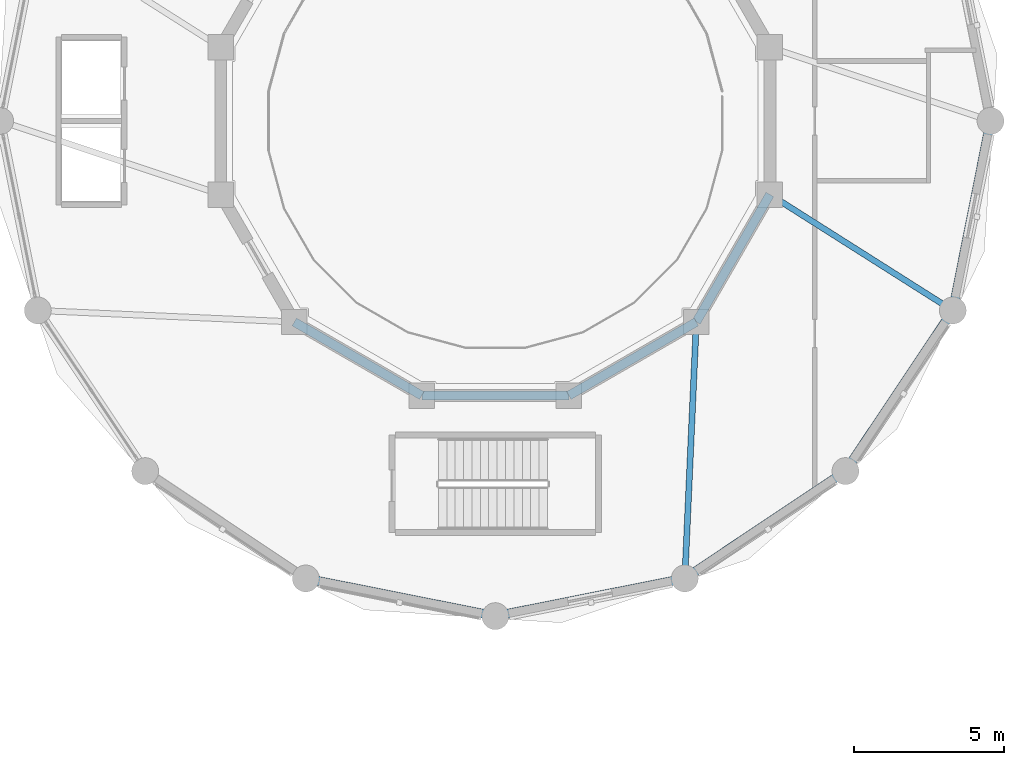
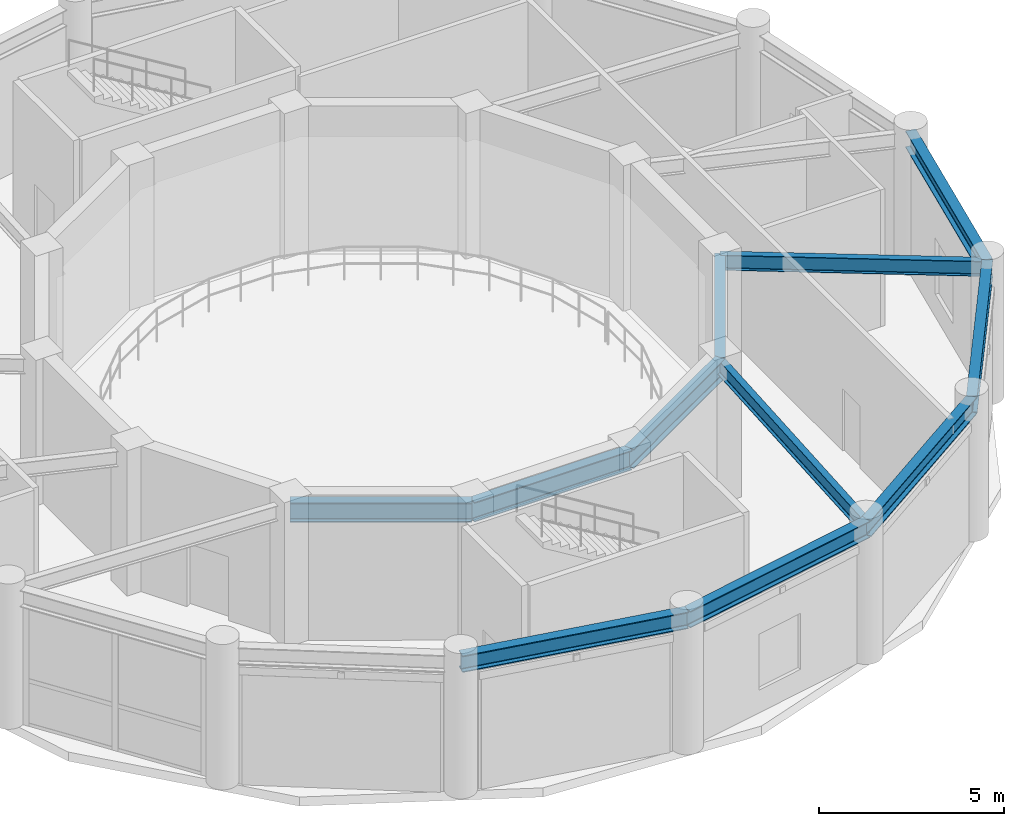
# One storey, part 11 of 34: 11 beams.
"""IFC4 building model written with IfcOpenShell, lengths in metres."""

from ifc_helpers import new_model, si_unit, derived_unit, direction, frame, origin, origin_2d, place, context, subcontext, project, spatial, i_section, extrude, source, transform, mapped, material, material_profile, profile_set, type_object, element, save


model = new_model("IFC4")

# Units and contexts
model_context = context("Model", 3, precision=1e-05, world=origin(), true_north=direction((0.0, 1.0)))
body_context = subcontext(model_context, "Body", "Model", "MODEL_VIEW")
ifc_project = project(units=[si_unit("LENGTHUNIT", "METRE"), si_unit("AREAUNIT", "SQUARE_METRE"), si_unit("VOLUMEUNIT", "CUBIC_METRE"), si_unit("PLANEANGLEUNIT", "RADIAN"), si_unit("MASSUNIT", "GRAM", prefix="KILO"), derived_unit("THERMALTRANSMITTANCEUNIT", [(si_unit("POWERUNIT", "WATT"), 1), (si_unit("LENGTHUNIT", "METRE"), -2), (si_unit("THERMODYNAMICTEMPERATUREUNIT", "KELVIN"), -1)])], contexts=[model_context])

# Site, building, storey
site_placement = place(None, origin())
site = spatial("IfcSite", under=ifc_project, at=site_placement, CompositionType="ELEMENT")
building_placement = place(site_placement, origin())
building = spatial("IfcBuilding", under=site, at=building_placement, Name="Korsvarv Bourse and Concert Hall", CompositionType="ELEMENT")
storey_placement = place(building_placement, frame((0.0, 0.0, 14.39990234375)))
storey = spatial("IfcBuildingStorey", under=building, at=storey_placement, Name="L03", CompositionType="ELEMENT", Elevation=14.39990234375)

# Beams
ifc_material = material(Name="Steel S355", Category="steel")
ifc_material_profile_1 = material_profile(ifc_material, i_section(OverallWidth=0.300048828125, OverallDepth=0.550048828125, WebThickness=0.014892578125, FlangeThickness=0.029052734375, FilletRadius=0.02392578125, at=origin_2d()), Name="HEB 550")
ifc_profile_set_1 = profile_set([ifc_material_profile_1], Name="Steel S355")
beam_type_1 = type_object("IfcBeamType", Name="BM-HEB550", PredefinedType="BEAM", material=ifc_profile_set_1)
shared_shape_1 = source(origin(), body_context, "Body", "SweptSolid", [
    extrude(i_section(OverallWidth=0.300048828125, OverallDepth=0.550048828125, WebThickness=0.014892578125, FlangeThickness=0.029052734375, FilletRadius=0.02392578125, at=origin_2d()), origin(), (0.0, 0.0, 1.0), 6.45751953125),
])
for number, where, z_axis, x_axis, name in (
    (1, (100.466552734375, 20.709716796875, 4.22509765625), (0.980786616034, -0.195083607229, 0.0), (0.195083607229, 0.980786616034, 0.0), "L03 beam B-06"),
    (2, (122.090087890625, 29.66650390625, 4.22509765625), (0.195119974887, 0.980779381615, 0.0), (-0.980779381615, 0.195119974887, 0.0), "L03 beam B-06"),
):
    element("IfcBeam", number, at=place(storey_placement, frame(where, z_axis=z_axis, x_axis=x_axis)), inside=storey, type_object=beam_type_1, Name=name, PredefinedType="BEAM", context=body_context, shape_type="MappedRepresentation", body=[
        mapped(shared_shape_1, transform((0.0, 0.0, 0.0), scale=1.0)),
    ])
shared_shape_2 = source(origin(), body_context, "Body", "SweptSolid", [
    extrude(i_section(OverallWidth=0.300048828125, OverallDepth=0.550048828125, WebThickness=0.014892578125, FlangeThickness=0.029052734375, FilletRadius=0.02392578125, at=origin_2d()), origin(), (0.0, 0.0, 1.0), 6.457275390625),
])
for number, where, z_axis, x_axis, name in (
    (3, (106.800048828125, 19.449951171875, 4.22509765625), (0.980785177113, 0.19509084129, 0.0), (-0.19509084129, 0.980785177113, 0.0), "L03 beam B-06"),
    (4, (118.502685546875, 24.29736328125, 4.22509765625), (0.555554952257, 0.831479822379, 0.0), (-0.831479822379, 0.555554952257, 0.0), "L03 beam B-06"),
):
    element("IfcBeam", number, at=place(storey_placement, frame(where, z_axis=z_axis, x_axis=x_axis)), inside=storey, type_object=beam_type_1, Name=name, PredefinedType="BEAM", context=body_context, shape_type="MappedRepresentation", body=[
        mapped(shared_shape_2, transform((0.0, 0.0, 0.0), scale=1.0)),
    ])
shared_shape_3 = source(origin(), body_context, "Body", "SweptSolid", [
    extrude(i_section(OverallWidth=0.300048828125, OverallDepth=0.550048828125, WebThickness=0.014892578125, FlangeThickness=0.029052734375, FilletRadius=0.02392578125, at=origin_2d()), origin(), (0.0, 0.0, 1.0), 6.457763671875),
])
beam_1_placement = place(storey_placement, frame((113.13330078125, 20.709716796875, 4.22509765625), z_axis=(0.831474026951, 0.555563625974, 0.0), x_axis=(-0.555563625974, 0.831474026951, 0.0)))
element("IfcBeam", 5, at=beam_1_placement, inside=storey, type_object=beam_type_1, Name="L03 beam B-06", PredefinedType="BEAM", context=body_context, shape_type="MappedRepresentation", body=[
    mapped(shared_shape_3, transform((0.0, 0.0, 0.0), scale=1.0)),
])
ifc_material_profile_2 = material_profile(ifc_material, i_section(OverallWidth=0.300048828125, OverallDepth=0.64990234375, WebThickness=0.01611328125, FlangeThickness=0.031005859375, FilletRadius=0.027099609375, at=origin_2d()), Name="HEB 650")
ifc_profile_set_2 = profile_set([ifc_material_profile_2], Name="Steel S355")
beam_type_2 = type_object("IfcBeamType", Name="BM-HEB650", PredefinedType="BEAM", material=ifc_profile_set_2)
shared_shape_4 = source(origin(), body_context, "Body", "SweptSolid", [
    extrude(i_section(OverallWidth=0.300048828125, OverallDepth=0.64990234375, WebThickness=0.01611328125, FlangeThickness=0.031005859375, FilletRadius=0.027099609375, at=origin_2d()), origin(), (0.0, 0.0, 1.0), 4.91748046875),
])
for number, where, z_axis, x_axis, name in (
    (6, (100.08251953125, 29.282470703125, 4.175048828125), (0.866031812033, -0.499988900423, 0.0), (0.499988900423, 0.866031812033, 0.0), "L03 beam B-04"),
    (7, (104.34130859375, 26.82373046875, 4.175048828125), (1.0, 0.0, 0.0), (0.0, 1.0, 0.0), "L03 beam B-04"),
    (8, (109.2587890625, 26.82373046875, 4.175048828125), (0.866031812033, 0.499988900423, 0.0), (-0.499988900423, 0.866031812033, 0.0), "L03 beam B-04"),
    (9, (113.517578125, 29.282470703125, 4.175048828125), (0.499988900423, 0.866031812033, 0.0), (-0.866031812033, 0.499988900423, 0.0), "L03 beam B-04"),
):
    element("IfcBeam", number, at=place(storey_placement, frame(where, z_axis=z_axis, x_axis=x_axis)), inside=storey, type_object=beam_type_2, Name=name, PredefinedType="BEAM", context=body_context, shape_type="MappedRepresentation", body=[
        mapped(shared_shape_4, transform((0.0, 0.0, 0.0), scale=1.0)),
    ])
ifc_material_profile_3 = material_profile(ifc_material, i_section(OverallWidth=0.199951171875, OverallDepth=0.5, WebThickness=0.01025390625, FlangeThickness=0.01611328125, FilletRadius=0.02099609375, at=origin_2d()), Name="IPE 500")
ifc_profile_set_3 = profile_set([ifc_material_profile_3], Name="Steel S355")
beam_type_3 = type_object("IfcBeamType", Name="BM-IPE500", PredefinedType="JOIST", material=ifc_profile_set_3)
shared_shape_5 = source(origin(), body_context, "Body", "SweptSolid", [
    extrude(i_section(OverallWidth=0.199951171875, OverallDepth=0.5, WebThickness=0.01025390625, FlangeThickness=0.01611328125, FilletRadius=0.02099609375, at=origin_2d()), origin(), (0.0, 0.0, 1.0), 8.581298828125),
])
beam_2_placement = place(storey_placement, frame((113.517578125, 29.282470703125, 4.25), z_axis=(-0.044780459224, -0.998996852083, 0.0), x_axis=(0.998996852083, -0.044780459224, 0.0)))
element("IfcBeam", 10, at=beam_2_placement, inside=storey, type_object=beam_type_3, Name="L03 beam J-03", PredefinedType="JOIST", context=body_context, shape_type="MappedRepresentation", body=[
    mapped(shared_shape_5, transform((0.0, 0.0, 0.0), scale=1.0)),
])
shared_shape_6 = source(origin(), body_context, "Body", "SweptSolid", [
    extrude(i_section(OverallWidth=0.199951171875, OverallDepth=0.5, WebThickness=0.01025390625, FlangeThickness=0.01611328125, FilletRadius=0.02099609375, at=origin_2d()), origin(), (0.0, 0.0, 1.0), 7.23828125),
])
beam_3_placement = place(storey_placement, frame((115.976318359375, 33.541259765625, 4.25), z_axis=(0.844650306569, -0.5353184656, 0.0), x_axis=(0.5353184656, 0.844650306569, 0.0)))
element("IfcBeam", 11, at=beam_3_placement, inside=storey, type_object=beam_type_3, Name="L03 beam J-03", PredefinedType="JOIST", context=body_context, shape_type="MappedRepresentation", body=[
    mapped(shared_shape_6, transform((0.0, 0.0, 0.0), scale=1.0)),
])

save(model, "model.ifc")
